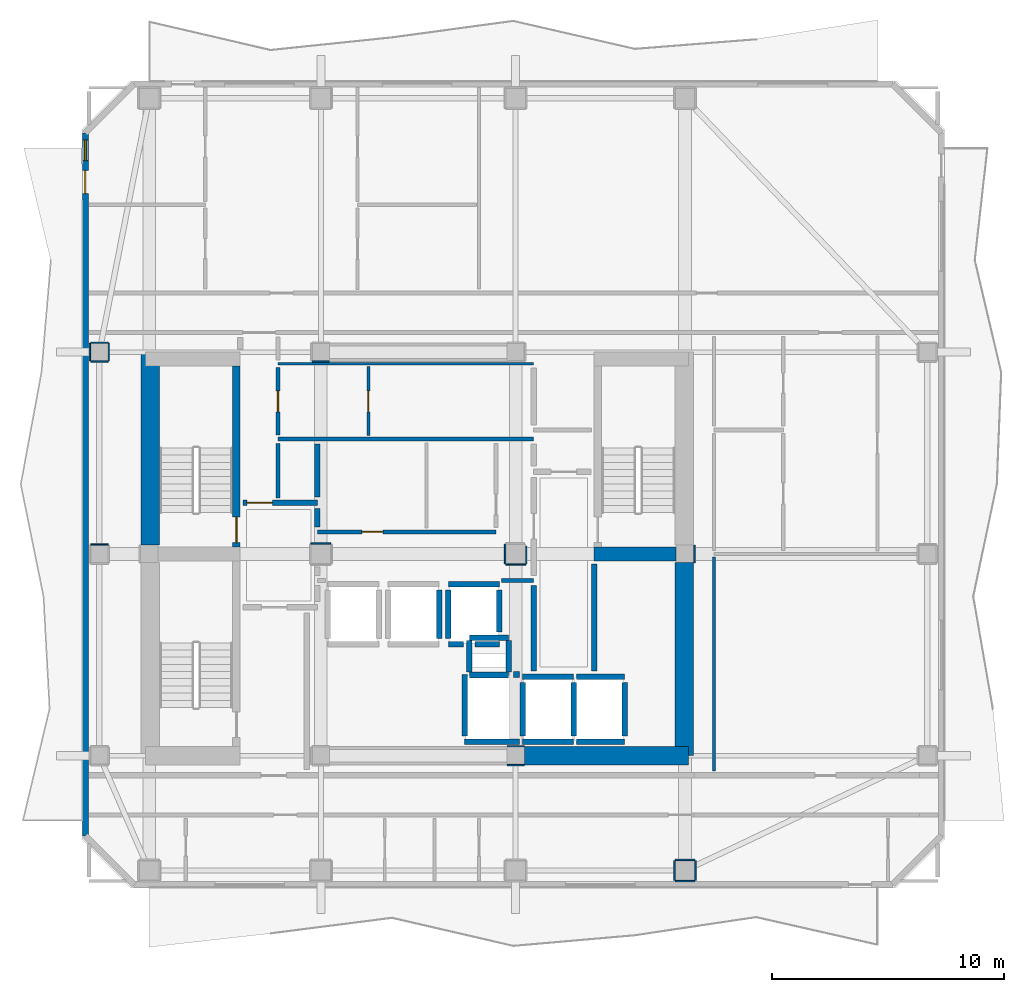
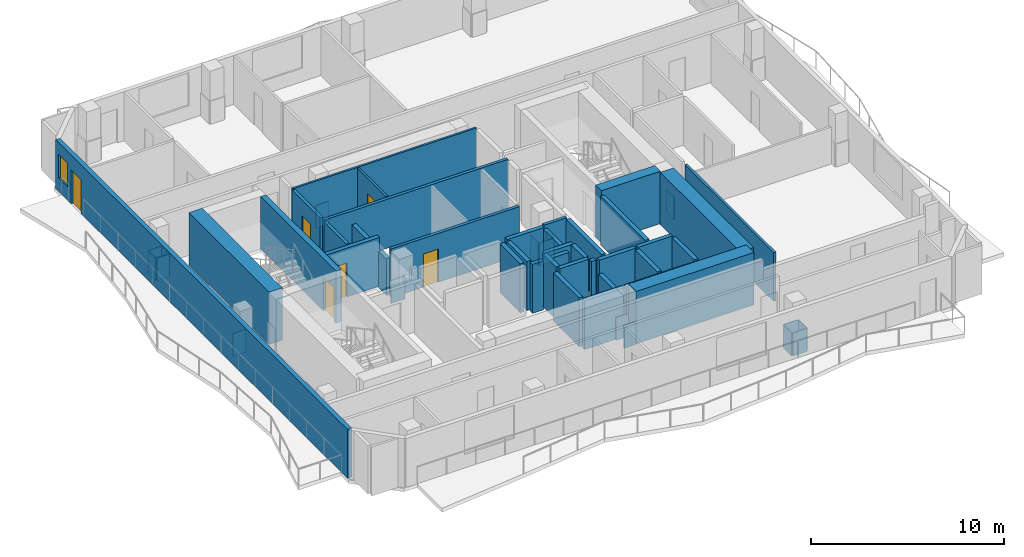
# One storey, part 3 of 9: 56 walls, 6 doors, 1 window, 7 openings.
"""IFC4 building model written with IfcOpenShell, lengths in metres."""

from ifc_helpers import new_model, si_unit, direction, frame, frame_2d, origin, place, context, subcontext, project, spatial, rectangle, extrude, material, layer, layer_set, type_object, element, fill, save


model = new_model("IFC4")

# Units and contexts
model_context = context("Model", 3, precision=1e-05, world=origin(), true_north=direction((0.0, 1.0)))
body_context = subcontext(model_context, "Body", "Model", "MODEL_VIEW")
ifc_project = project(units=[si_unit("LENGTHUNIT", "METRE"), si_unit("AREAUNIT", "SQUARE_METRE"), si_unit("VOLUMEUNIT", "CUBIC_METRE"), si_unit("PLANEANGLEUNIT", "RADIAN"), si_unit("MASSUNIT", "GRAM", prefix="KILO")], contexts=[model_context])

# Site, building, storey
site_placement = place(None, origin())
site = spatial("IfcSite", under=ifc_project, at=site_placement, CompositionType="ELEMENT")
building_placement = place(site_placement, origin())
building = spatial("IfcBuilding", under=site, at=building_placement, Name="Solanera Arch Residences", CompositionType="ELEMENT")
storey_placement = place(building_placement, frame((0.0, 0.0, 241.239990234375)))
storey = spatial("IfcBuildingStorey", under=building, at=storey_placement, Name="L70", CompositionType="ELEMENT", Elevation=241.239990234375)

# Walls
ifc_material_1 = material(Name="Fire-Rated Gypsum Stud Partition", Category="gypsum")
ifc_layer_1 = layer(ifc_material_1, 0.06005859375)
ifc_layer_set_1 = layer_set([ifc_layer_1], Name="Fire-Rated Gypsum Stud Partition")
wall_type_1 = type_object("IfcWallType", Name="Column Acoustic Furring Wall 60", PredefinedType="PARTITIONING", material=ifc_layer_set_1)
for number, where, z_axis, x_axis, name in (
    (1, (28.8330078125, 21.593017578125, 0.0), (0.0, 0.0, 1.0), (1.0, 0.0, 0.0), "L70 Column Furring 2S"),
    (2, (28.8330078125, 22.406982421875, 0.0), (0.0, 0.0, 1.0), (1.0, 0.0, 0.0), "L70 Column Furring 2N"),
):
    element("IfcWall", number, at=place(storey_placement, frame(where, z_axis=z_axis, x_axis=x_axis)), inside=storey, type_object=wall_type_1, Name=name, PredefinedType="PARTITIONING", context=body_context, shape_type="SweptSolid", body=[
        extrude(rectangle(XDim=0.73388671875, YDim=0.06005859375, at=frame_2d((0.366943359375, 0.0))), origin(), (0.0, 0.0, 1.0), 1.449951171875),
    ])
wall_1_placement = place(storey_placement, frame((20.425048828125, 38.992919921875, 0.0), z_axis=(0.0, 0.0, 1.0), x_axis=(1.0, 0.0, 0.0)))
element("IfcWall", 3, at=wall_1_placement, inside=storey, type_object=wall_type_1, Name="L70 Column Furring 3S", PredefinedType="PARTITIONING", context=body_context, shape_type="SweptSolid", body=[
    extrude(rectangle(XDim=0.741943359375, YDim=0.06005859375, at=frame_2d((0.37109375, 0.0))), origin(), (0.0, 0.0, 1.0), 1.449951171875),
])
wall_2_placement = place(storey_placement, frame((36.906982421875, 30.324951171875, 0.0), z_axis=(0.0, 0.0, 1.0), x_axis=(0.0, 1.0, 0.0)))
element("IfcWall", 4, at=wall_2_placement, inside=storey, type_object=wall_type_1, Name="L70 Column Furring 6E", PredefinedType="PARTITIONING", context=body_context, shape_type="SweptSolid", body=[
    extrude(rectangle(XDim=0.75, YDim=0.06005859375, at=frame_2d((0.375, 0.0))), origin(), (0.0, 0.0, 1.0), 1.449951171875),
])
for number, where, z_axis, x_axis, name in (
    (5, (20.375, 31.156982421875, 0.0), (0.0, 0.0, 1.0), (1.0, 0.0, 0.0), "L70 Column Furring 7N"),
    (6, (28.77490234375, 30.242919921875, 0.0), (0.0, 0.0, 1.0), (1.0, 0.0, 0.0), "L70 Column Furring 8S"),
    (7, (28.742919921875, 30.27490234375, 0.0), (0.0, 0.0, 1.0), (0.0, 1.0, 0.0), "L70 Column Furring 8W"),
):
    element("IfcWall", number, at=place(storey_placement, frame(where, z_axis=z_axis, x_axis=x_axis)), inside=storey, type_object=wall_type_1, Name=name, PredefinedType="PARTITIONING", context=body_context, shape_type="SweptSolid", body=[
        extrude(rectangle(XDim=0.85009765625, YDim=0.06005859375, at=frame_2d((0.425048828125, 0.0))), origin(), (0.0, 0.0, 1.0), 1.449951171875),
    ])
wall_3_placement = place(storey_placement, frame((29.656982421875, 30.27490234375, 0.0), z_axis=(0.0, 0.0, 1.0), x_axis=(0.0, 1.0, 0.0)))
element("IfcWall", 8, at=wall_3_placement, inside=storey, type_object=wall_type_1, Name="L70 Column Furring 8E", PredefinedType="PARTITIONING", context=body_context, shape_type="SweptSolid", body=[
    extrude(rectangle(XDim=0.757080078125, YDim=0.06005859375, at=frame_2d((0.37841796875, 0.0))), origin(), (0.0, 0.0, 1.0), 1.449951171875),
])
for number, where, z_axis, x_axis, name in (
    (9, (36.074951171875, 16.593017578125, 0.0), (0.0, 0.0, 1.0), (1.0, 0.0, 0.0), "L70 Column Furring 15S"),
    (10, (36.074951171875, 17.507080078125, 0.0), (0.0, 0.0, 1.0), (1.0, 0.0, 0.0), "L70 Column Furring 15N"),
    (11, (36.04296875, 16.625, 0.0), (0.0, 0.0, 1.0), (0.0, 1.0, 0.0), "L70 Column Furring 15W"),
    (12, (36.95703125, 16.625, 0.0), (0.0, 0.0, 1.0), (0.0, 1.0, 0.0), "L70 Column Furring 15E"),
):
    element("IfcWall", number, at=place(storey_placement, frame(where, z_axis=z_axis, x_axis=x_axis)), inside=storey, type_object=wall_type_1, Name=name, PredefinedType="PARTITIONING", context=body_context, shape_type="SweptSolid", body=[
        extrude(rectangle(XDim=0.85009765625, YDim=0.06005859375, at=frame_2d((0.425048828125, 0.0))), origin(), (0.0, 0.0, 1.0), 1.449951171875),
    ])
for number, where, z_axis, x_axis, name in (
    (13, (10.875, 31.10693359375, 0.0), (0.0, 0.0, 1.0), (1.0, 0.0, 0.0), "L70 Column Furring 19N"),
    (14, (10.875, 38.992919921875, 0.0), (0.0, 0.0, 1.0), (1.0, 0.0, 0.0), "L70 Column Furring 21S"),
    (15, (10.875, 39.806884765625, 0.0), (0.0, 0.0, 1.0), (1.0, 0.0, 0.0), "L70 Column Furring 21N"),
    (16, (10.843017578125, 39.02490234375, 0.0), (0.0, 0.0, 1.0), (0.0, 1.0, 0.0), "L70 Column Furring 21W"),
    (17, (11.656982421875, 39.02490234375, 0.0), (0.0, 0.0, 1.0), (0.0, 1.0, 0.0), "L70 Column Furring 21E"),
):
    element("IfcWall", number, at=place(storey_placement, frame(where, z_axis=z_axis, x_axis=x_axis)), inside=storey, type_object=wall_type_1, Name=name, PredefinedType="PARTITIONING", context=body_context, shape_type="SweptSolid", body=[
        extrude(rectangle(XDim=0.75, YDim=0.06005859375, at=frame_2d((0.375, 0.0))), origin(), (0.0, 0.0, 1.0), 1.449951171875),
    ])

# Wall, opening, door
ifc_material_2 = material(Name="Concrete C40/50 (f'c = 45 MPa)", Category="concrete")
ifc_layer_2 = layer(ifc_material_2, 0.320068359375)
ifc_layer_set_2 = layer_set([ifc_layer_2], Name="Concrete C40/50 (f'c = 45 MPa)")
wall_type_2 = type_object("IfcWallType", Name="Core Shear Wall CW-320", PredefinedType="SHEAR", material=ifc_layer_set_2)
wall_4_placement = place(storey_placement, frame((17.159912109375, 31.0, 0.0), z_axis=(0.0, 0.0, 1.0), x_axis=(0.0, 1.0, 0.0)))
wall_4 = element("IfcWall", 18, at=wall_4_placement, inside=storey, type_object=wall_type_2, Name="L70 Stair ST-T1 East Shear Wall", PredefinedType="SHEAR", context=body_context, shape_type="SweptSolid", body=[
    extrude(rectangle(XDim=7.800048828125, YDim=0.320068359375, at=frame_2d((3.89990234375, 0.0))), origin(), (0.0, 0.0, 1.0), 3.320068359375),
])
opening_1_placement = place(wall_4_placement, frame((0.18994140625, 0.0, 0.0)))
opening_1 = element("IfcOpeningElement", 19, at=opening_1_placement, cuts=wall_4, Name="Opening DF-01", PredefinedType="OPENING", context=body_context, shape_type="SweptSolid", body=[
    extrude(rectangle(XDim=1.10009765625, YDim=2.14990234375, at=frame_2d((0.550048828125, 1.074951171875))), frame((0.0, 0.169921875, 0.0), z_axis=(0.0, -1.0, 0.0), x_axis=(1.0, 0.0, 0.0)), (0.0, 0.0, 1.0), 0.3401),
])
ifc_material_3 = material(Name="Fire-Rated Architectural Hardwood", Category="wood")
door_type_1 = type_object("IfcDoorType", Name="Stair Exit Fire Door DF-01", OperationType="NOTDEFINED", PredefinedType="DOOR", material=ifc_material_3)
door_1_placement = place(opening_1_placement, origin())
door_1 = element("IfcDoor", 20, at=door_1_placement, inside=storey, type_object=door_type_1, Name="DR-L70-STAIR-ST-T1", OperationType="SINGLE_SWING_LEFT", OverallHeight=2.14990234375, OverallWidth=1.10009765625, PredefinedType="DOOR", context=body_context, shape_type="SweptSolid", body=[
    extrude(rectangle(XDim=1.10009765625, YDim=2.14990234375, at=frame_2d((0.550048828125, 1.074951171875))), frame((0.0, 0.02490234375, 0.0), z_axis=(0.0, -1.0, 0.0), x_axis=(1.0, 0.0, 0.0)), (0.0, 0.0, 1.0), 0.050048828125),
])
fill(opening_1, door_1)

# Walls
ifc_material_4 = material(Name="Concrete C40/50 (f'c = 45 MPa)", Category="concrete")
ifc_layer_3 = layer(ifc_material_4, 0.60009765625)
ifc_layer_set_3 = layer_set([ifc_layer_3], Name="Concrete C40/50 (f'c = 45 MPa)")
wall_type_3 = type_object("IfcWallType", Name="Core Shear Wall CW-600", PredefinedType="SHEAR", material=ifc_layer_set_3)
wall_5_placement = place(storey_placement, frame((32.580078125, 30.699951171875, 0.0), z_axis=(0.0, 0.0, 1.0), x_axis=(1.0, 0.0, 0.0)))
element("IfcWall", 21, at=wall_5_placement, inside=storey, type_object=wall_type_3, Name="L70 East Stair Far-Landing Shear Wall", PredefinedType="SHEAR", context=body_context, shape_type="SweptSolid", body=[
    extrude(rectangle(XDim=3.5400390625, YDim=0.60009765625, at=frame_2d((1.77001953125, 0.0))), origin(), (0.0, 0.0, 1.0), 3.320068359375),
])
ifc_material_5 = material(Name="Concrete C40/50 (f'c = 45 MPa)", Category="concrete")
ifc_layer_4 = layer(ifc_material_5, 0.800048828125)
ifc_layer_set_4 = layer_set([ifc_layer_4], Name="Concrete C40/50 (f'c = 45 MPa)")
wall_type_4 = type_object("IfcWallType", Name="Core Shear Wall CW-800", PredefinedType="SHEAR", material=ifc_layer_set_4)
wall_6_placement = place(storey_placement, frame((13.43994140625, 31.080078125, 0.0), z_axis=(0.0, 0.0, 1.0), x_axis=(0.0, 1.0, 0.0)))
element("IfcWall", 22, at=wall_6_placement, inside=storey, type_object=wall_type_4, Name="L70 West Core North Shear Wall", PredefinedType="SHEAR", context=body_context, shape_type="SweptSolid", body=[
    extrude(rectangle(XDim=8.31982421875, YDim=0.800048828125, at=frame_2d((4.159912109375, 0.0))), origin(), (0.0, 0.0, 1.0), 3.320068359375),
])
wall_7_placement = place(storey_placement, frame((36.4599609375, 22.0, 0.0), z_axis=(0.0, 0.0, 1.0), x_axis=(0.0, 1.0, 0.0)))
element("IfcWall", 23, at=wall_7_placement, inside=storey, type_object=wall_type_4, Name="L70 East Core South Shear Wall", PredefinedType="SHEAR", context=body_context, shape_type="SweptSolid", body=[
    extrude(rectangle(XDim=8.320068359375, YDim=0.800048828125, at=frame_2d((4.16015625, 0.0))), origin(), (0.0, 0.0, 1.0), 3.320068359375),
])
wall_8_placement = place(storey_placement, frame((29.580078125, 22.0, 0.0), z_axis=(0.0, 0.0, 1.0), x_axis=(1.0, 0.0, 0.0)))
element("IfcWall", 24, at=wall_8_placement, inside=storey, type_object=wall_type_4, Name="L70 South-East Core Shear Wall", PredefinedType="SHEAR", context=body_context, shape_type="SweptSolid", body=[
    extrude(rectangle(XDim=7.079833984375, YDim=0.800048828125, at=frame_2d((3.5400390625, 0.0))), origin(), (0.0, 0.0, 1.0), 3.320068359375),
])
ifc_material_6 = material(Name="Autoclaved Aerated Concrete Blockwork", Category="masonry")
ifc_layer_5 = layer(ifc_material_6, 0.179931640625)
ifc_layer_set_5 = layer_set([ifc_layer_5], Name="Autoclaved Aerated Concrete Blockwork")
wall_type_5 = type_object("IfcWallType", Name="Corridor Fire Partition 180", PredefinedType="PARTITIONING", material=ifc_layer_set_5)
wall_9_placement = place(storey_placement, frame((28.593017578125, 29.550048828125, 0.0), z_axis=(0.0, 0.0, 1.0), x_axis=(1.0, 0.0, 0.0)))
element("IfcWall", 25, at=wall_9_placement, inside=storey, type_object=wall_type_5, Name="L70 Interior Partition H7 2", PredefinedType="PARTITIONING", context=body_context, shape_type="SweptSolid", body=[
    extrude(rectangle(XDim=1.382080078125, YDim=0.179931640625, at=frame_2d((0.69091796875, 0.0))), origin(), (0.0, 0.0, 1.0), 3.10009765625),
])

# Wall, opening, door
wall_10_placement = place(storey_placement, frame((20.64990234375, 31.64990234375, 0.0), z_axis=(0.0, 0.0, 1.0), x_axis=(1.0, 0.0, 0.0)))
wall_10 = element("IfcWall", 26, at=wall_10_placement, inside=storey, type_object=wall_type_5, Name="L70 Interior Partition H8", PredefinedType="PARTITIONING", context=body_context, shape_type="SweptSolid", body=[
    extrude(rectangle(XDim=7.7001953125, YDim=0.179931640625, at=frame_2d((3.85009765625, 0.0))), origin(), (0.0, 0.0, 1.0), 3.10009765625),
])
opening_2_placement = place(wall_10_placement, frame((1.924072265625, 0.0, 0.0)))
opening_2 = element("IfcOpeningElement", 27, at=opening_2_placement, cuts=wall_10, Name="Opening DI-02", PredefinedType="OPENING", context=body_context, shape_type="SweptSolid", body=[
    extrude(rectangle(XDim=0.89990234375, YDim=2.10009765625, at=frame_2d((0.449951171875, 1.050048828125))), frame((0.0, 0.10009765625, 0.0), z_axis=(0.0, -1.0, 0.0), x_axis=(1.0, 0.0, 0.0)), (0.0, 0.0, 1.0), 0.1999),
])
ifc_material_7 = material(Name="Fire-Rated Architectural Hardwood", Category="wood")
door_type_2 = type_object("IfcDoorType", Name="Suite Room Swing Door DI-02", OperationType="NOTDEFINED", PredefinedType="DOOR", material=ifc_material_7)
door_2_placement = place(opening_2_placement, origin())
door_2 = element("IfcDoor", 28, at=door_2_placement, inside=storey, type_object=door_type_2, Name="DR-L70-IN-012", OperationType="SINGLE_SWING_RIGHT", OverallHeight=2.10009765625, OverallWidth=0.89990234375, PredefinedType="DOOR", context=body_context, shape_type="SweptSolid", body=[
    extrude(rectangle(XDim=0.89990234375, YDim=2.10009765625, at=frame_2d((0.449951171875, 1.050048828125))), frame((0.0, 0.02490234375, 0.0), z_axis=(0.0, -1.0, 0.0), x_axis=(1.0, 0.0, 0.0)), (0.0, 0.0, 1.0), 0.050048828125),
])
fill(opening_2, door_2)

# Walls
wall_11_placement = place(storey_placement, frame((18.949951171875, 35.64990234375, 0.0), z_axis=(0.0, 0.0, 1.0), x_axis=(1.0, 0.0, 0.0)))
element("IfcWall", 29, at=wall_11_placement, inside=storey, type_object=wall_type_5, Name="L70 Interior Partition H9", PredefinedType="PARTITIONING", context=body_context, shape_type="SweptSolid", body=[
    extrude(rectangle(XDim=11.025146484375, YDim=0.179931640625, at=frame_2d((5.5126953125, 0.0))), origin(), (0.0, 0.0, 1.0), 3.10009765625),
])
wall_12_placement = place(storey_placement, frame((18.949951171875, 33.117919921875, 0.0), z_axis=(0.0, 0.0, 1.0), x_axis=(0.0, 1.0, 0.0)))
element("IfcWall", 30, at=wall_12_placement, inside=storey, type_object=wall_type_5, Name="L70 Interior Partition V8 1", PredefinedType="PARTITIONING", context=body_context, shape_type="SweptSolid", body=[
    extrude(rectangle(XDim=2.343994140625, YDim=0.179931640625, at=frame_2d((1.171875, 0.0))), origin(), (0.0, 0.0, 1.0), 3.10009765625),
])

# Wall, opening, door
wall_13_placement = place(storey_placement, frame((18.949951171875, 35.837890625, 0.0), z_axis=(0.0, 0.0, 1.0), x_axis=(0.0, 1.0, 0.0)))
wall_13 = element("IfcWall", 31, at=wall_13_placement, inside=storey, type_object=wall_type_5, Name="L70 Interior Partition V8 2", PredefinedType="PARTITIONING", context=body_context, shape_type="SweptSolid", body=[
    extrude(rectangle(XDim=2.904052734375, YDim=0.179931640625, at=frame_2d((1.4521484375, 0.0))), origin(), (0.0, 0.0, 1.0), 3.10009765625),
])
opening_3_placement = place(wall_13_placement, frame((0.987060546875, 0.0, 0.0)))
opening_3 = element("IfcOpeningElement", 32, at=opening_3_placement, cuts=wall_13, Name="Opening DI-02", PredefinedType="OPENING", context=body_context, shape_type="SweptSolid", body=[
    extrude(rectangle(XDim=0.89990234375, YDim=2.10009765625, at=frame_2d((0.449951171875, 1.050048828125))), frame((0.0, 0.10009765625, 0.0), z_axis=(0.0, -1.0, 0.0), x_axis=(1.0, 0.0, 0.0)), (0.0, 0.0, 1.0), 0.1999),
])
door_3_placement = place(opening_3_placement, origin())
door_3 = element("IfcDoor", 33, at=door_3_placement, inside=storey, type_object=door_type_2, Name="DR-L70-IN-010", OperationType="SINGLE_SWING_RIGHT", OverallHeight=2.10009765625, OverallWidth=0.89990234375, PredefinedType="DOOR", context=body_context, shape_type="SweptSolid", body=[
    extrude(rectangle(XDim=0.89990234375, YDim=2.10009765625, at=frame_2d((0.449951171875, 1.050048828125))), frame((0.0, 0.02490234375, 0.0), z_axis=(0.0, -1.0, 0.0), x_axis=(1.0, 0.0, 0.0)), (0.0, 0.0, 1.0), 0.050048828125),
])
fill(opening_3, door_3)

# Wall, openings, door, window
ifc_material_8 = material(Name="Precast Concrete C35/45", Category="concrete")
ifc_layer_6 = layer(ifc_material_8, 0.260009765625)
ifc_layer_set_6 = layer_set([ifc_layer_6], Name="Precast Concrete C35/45")
wall_type_6 = type_object("IfcWallType", Name="Exterior Wall Precast Masonry-Frame 260", PredefinedType="STANDARD", material=ifc_layer_set_6)
wall_14_placement = place(storey_placement, frame((10.64501953125, 18.544921875, 0.0), z_axis=(0.0, 0.0, 1.0), x_axis=(0.0, 1.0, 0.0)))
wall_14 = element("IfcWall", 34, at=wall_14_placement, inside=storey, type_object=wall_type_6, Name="L70 Tower Exterior Precast Masonry-Frame Wall W", PredefinedType="STANDARD", context=body_context, shape_type="SweptSolid", body=[
    extrude(rectangle(XDim=30.31005859375, YDim=0.260009765625, at=frame_2d((15.155029296875, 0.0))), origin(), (0.0, 0.0, 1.0), 3.10009765625),
])
opening_4_placement = place(wall_14_placement, frame((27.695068359375, 0.0, 0.0)))
opening_4 = element("IfcOpeningElement", 35, at=opening_4_placement, cuts=wall_14, Name="Opening DB-01", PredefinedType="OPENING", context=body_context, shape_type="SweptSolid", body=[
    extrude(rectangle(XDim=1.0, YDim=2.14990234375, at=frame_2d((0.5, 1.074951171875))), frame((0.0, 0.139892578125, 0.0), z_axis=(0.0, -1.0, 0.0), x_axis=(1.0, 0.0, 0.0)), (0.0, 0.0, 1.0), 0.28),
])
opening_5_placement = place(wall_14_placement, frame((29.10791015625, 0.0, 0.85009765625)))
opening_5 = element("IfcOpeningElement", 36, at=opening_5_placement, cuts=wall_14, Name="Opening W-06", PredefinedType="OPENING", context=body_context, shape_type="SweptSolid", body=[
    extrude(rectangle(XDim=0.89990234375, YDim=1.5, at=frame_2d((0.449951171875, 0.75))), frame((0.0, 0.139892578125, 0.0), z_axis=(0.0, -1.0, 0.0), x_axis=(1.0, 0.0, 0.0)), (0.0, 0.0, 1.0), 0.28),
])
ifc_material_9 = material(Name="Anodised Aluminium Alloy 6063-T6", Category="aluminium")
door_type_3 = type_object("IfcDoorType", Name="Glazed Balcony Swing Door DB-01", OperationType="NOTDEFINED", PredefinedType="DOOR", material=ifc_material_9)
door_4_placement = place(opening_4_placement, origin())
door_4 = element("IfcDoor", 37, at=door_4_placement, inside=storey, type_object=door_type_3, Name="DR-L70-OUT-04", OperationType="SINGLE_SWING_LEFT", OverallHeight=2.14990234375, OverallWidth=1.0, PredefinedType="DOOR", context=body_context, shape_type="SweptSolid", body=[
    extrude(rectangle(XDim=1.0, YDim=2.14990234375, at=frame_2d((0.5, 1.074951171875))), frame((0.0, 0.02490234375, 0.0), z_axis=(0.0, -1.0, 0.0), x_axis=(1.0, 0.0, 0.0)), (0.0, 0.0, 1.0), 0.050048828125),
])
fill(opening_4, door_4)
ifc_material_10 = material(Name="Double Glazed Low-E Laminated Glass", Category="glass")
window_type = type_object("IfcWindowType", Name="Punched Window W-06", PartitioningType="SINGLE_PANEL", PredefinedType="WINDOW", material=ifc_material_10)
window_placement = place(opening_5_placement, origin())
window = element("IfcWindow", 38, at=window_placement, inside=storey, type_object=window_type, Name="L70 7003-BR1 Punched Window", OverallHeight=1.5, OverallWidth=0.89990234375, PartitioningType="SINGLE_PANEL", PredefinedType="WINDOW", context=body_context, shape_type="SweptSolid", body=[
    extrude(rectangle(XDim=0.89990234375, YDim=1.5, at=frame_2d((0.449951171875, 0.75))), frame((0.0, 0.030029296875, 0.0), z_axis=(0.0, -1.0, 0.0), x_axis=(1.0, 0.0, 0.0)), (0.0, 0.0, 1.0), 0.06005859375),
])
fill(opening_5, window)

# Walls
ifc_material_11 = material(Name="Concrete C40/50 (f'c = 45 MPa)", Category="concrete")
ifc_layer_7 = layer(ifc_material_11, 0.239990234375)
ifc_layer_set_7 = layer_set([ifc_layer_7], Name="Concrete C40/50 (f'c = 45 MPa)")
wall_type_7 = type_object("IfcWallType", Name="Ramp Bearing Shear Wall RW-240", PredefinedType="SHEAR", material=ifc_layer_set_7)
for number, where, z_axis, x_axis, name in (
    (39, (27.199951171875, 25.47998046875, 0.0), (0.0, 0.0, 1.0), (1.0, 0.0, 0.0), "L70 Core MEP Riser South Shaft Wall"),
    (40, (27.199951171875, 27.080078125, 0.0), (0.0, 0.0, 1.0), (1.0, 0.0, 0.0), "L70 Core MEP Riser North Shaft Wall"),
):
    element("IfcWall", number, at=place(storey_placement, frame(where, z_axis=z_axis, x_axis=x_axis)), inside=storey, type_object=wall_type_7, Name=name, PredefinedType="SHEAR", context=body_context, shape_type="SweptSolid", body=[
        extrude(rectangle(XDim=1.699951171875, YDim=0.239990234375, at=frame_2d((0.85009765625, 0.0))), origin(), (0.0, 0.0, 1.0), 3.320068359375),
    ])
for number, where, z_axis, x_axis, name in (
    (41, (27.199951171875, 25.60009765625, 0.0), (0.0, 0.0, 1.0), (0.0, 1.0, 0.0), "L70 Core MEP Riser West Shaft Wall"),
    (42, (28.89990234375, 25.60009765625, 0.0), (0.0, 0.0, 1.0), (0.0, 1.0, 0.0), "L70 Core MEP Riser East Shaft Wall"),
):
    element("IfcWall", number, at=place(storey_placement, frame(where, z_axis=z_axis, x_axis=x_axis)), inside=storey, type_object=wall_type_7, Name=name, PredefinedType="SHEAR", context=body_context, shape_type="SweptSolid", body=[
        extrude(rectangle(XDim=1.35986328125, YDim=0.239990234375, at=frame_2d((0.679931640625, 0.0))), origin(), (0.0, 0.0, 1.0), 3.320068359375),
    ])
ifc_material_12 = material(Name="Autoclaved Aerated Concrete Blockwork", Category="masonry")
ifc_layer_8 = layer(ifc_material_12, 0.239990234375)
ifc_layer_set_8 = layer_set([ifc_layer_8], Name="Autoclaved Aerated Concrete Blockwork")
wall_type_8 = type_object("IfcWallType", Name="Shaft Wall Fire-Rated 240", PredefinedType="PARTITIONING", material=ifc_layer_set_8)
wall_15_placement = place(storey_placement, frame((25.89990234375, 27.048095703125, 0.0), z_axis=(0.0, 0.0, 1.0), x_axis=(0.0, 1.0, 0.0)))
element("IfcWall", 43, at=wall_15_placement, inside=storey, type_object=wall_type_8, Name="L70 Lift PL-H2 Hoistway Wall E", PredefinedType="PARTITIONING", context=body_context, shape_type="SweptSolid", body=[
    extrude(rectangle(XDim=2.10400390625, YDim=0.239990234375, at=frame_2d((1.052001953125, 0.0))), origin(), (0.0, 0.0, 1.0), 3.10009765625),
])
wall_16_placement = place(storey_placement, frame((26.300048828125, 26.800048828125, 0.0), z_axis=(0.0, 0.0, 1.0), x_axis=(1.0, 0.0, 0.0)))
element("IfcWall", 44, at=wall_16_placement, inside=storey, type_object=wall_type_8, Name="L70 Lift PL-H3 Hoistway Wall S 1", PredefinedType="PARTITIONING", context=body_context, shape_type="SweptSolid", body=[
    extrude(rectangle(XDim=0.64990234375, YDim=0.239990234375, at=frame_2d((0.324951171875, 0.0))), origin(), (0.0, 0.0, 1.0), 3.10009765625),
])
wall_17_placement = place(storey_placement, frame((27.449951171875, 26.800048828125, 0.0), z_axis=(0.0, 0.0, 1.0), x_axis=(1.0, 0.0, 0.0)))
element("IfcWall", 45, at=wall_17_placement, inside=storey, type_object=wall_type_8, Name="L70 Lift PL-H3 Hoistway Wall S 2", PredefinedType="PARTITIONING", context=body_context, shape_type="SweptSolid", body=[
    extrude(rectangle(XDim=1.050048828125, YDim=0.239990234375, at=frame_2d((0.52490234375, 0.0))), origin(), (0.0, 0.0, 1.0), 3.10009765625),
])
wall_18_placement = place(storey_placement, frame((26.300048828125, 29.39990234375, 0.0), z_axis=(0.0, 0.0, 1.0), x_axis=(1.0, 0.0, 0.0)))
element("IfcWall", 46, at=wall_18_placement, inside=storey, type_object=wall_type_8, Name="L70 Lift PL-H3 Hoistway Wall N", PredefinedType="PARTITIONING", context=body_context, shape_type="SweptSolid", body=[
    extrude(rectangle(XDim=2.199951171875, YDim=0.239990234375, at=frame_2d((1.10009765625, 0.0))), origin(), (0.0, 0.0, 1.0), 3.10009765625),
])
wall_19_placement = place(storey_placement, frame((26.300048828125, 27.048095703125, 0.0), z_axis=(0.0, 0.0, 1.0), x_axis=(0.0, 1.0, 0.0)))
element("IfcWall", 47, at=wall_19_placement, inside=storey, type_object=wall_type_8, Name="L70 Lift PL-H3 Hoistway Wall W", PredefinedType="PARTITIONING", context=body_context, shape_type="SweptSolid", body=[
    extrude(rectangle(XDim=2.10400390625, YDim=0.239990234375, at=frame_2d((1.052001953125, 0.0))), origin(), (0.0, 0.0, 1.0), 3.10009765625),
])
wall_20_placement = place(storey_placement, frame((28.5, 27.330078125, 0.0), z_axis=(0.0, 0.0, 1.0), x_axis=(0.0, 1.0, 0.0)))
element("IfcWall", 48, at=wall_20_placement, inside=storey, type_object=wall_type_8, Name="L70 Lift PL-H3 Hoistway Wall E", PredefinedType="PARTITIONING", context=body_context, shape_type="SweptSolid", body=[
    extrude(rectangle(XDim=1.822021484375, YDim=0.239990234375, at=frame_2d((0.9111328125, 0.0))), origin(), (0.0, 0.0, 1.0), 3.10009765625),
])
for number, where, z_axis, x_axis, name in (
    (49, (29.5, 22.60009765625, 0.0), (0.0, 0.0, 1.0), (1.0, 0.0, 0.0), "L70 Lift FFL-1 Hoistway Wall S"),
    (50, (29.5, 25.39990234375, 0.0), (0.0, 0.0, 1.0), (1.0, 0.0, 0.0), "L70 Lift FFL-1 Hoistway Wall N"),
):
    element("IfcWall", number, at=place(storey_placement, frame(where, z_axis=z_axis, x_axis=x_axis)), inside=storey, type_object=wall_type_8, Name=name, PredefinedType="PARTITIONING", context=body_context, shape_type="SweptSolid", body=[
        extrude(rectangle(XDim=2.199951171875, YDim=0.239990234375, at=frame_2d((1.10009765625, 0.0))), origin(), (0.0, 0.0, 1.0), 3.10009765625),
    ])
wall_21_placement = place(storey_placement, frame((29.5, 22.847900390625, 0.0), z_axis=(0.0, 0.0, 1.0), x_axis=(0.0, 1.0, 0.0)))
element("IfcWall", 51, at=wall_21_placement, inside=storey, type_object=wall_type_8, Name="L70 Lift FFL-1 Hoistway Wall W", PredefinedType="PARTITIONING", context=body_context, shape_type="SweptSolid", body=[
    extrude(rectangle(XDim=2.30419921875, YDim=0.239990234375, at=frame_2d((1.152099609375, 0.0))), origin(), (0.0, 0.0, 1.0), 2.3349609375),
])
wall_22_placement = place(storey_placement, frame((31.699951171875, 22.847900390625, 0.0), z_axis=(0.0, 0.0, 1.0), x_axis=(0.0, 1.0, 0.0)))
element("IfcWall", 52, at=wall_22_placement, inside=storey, type_object=wall_type_8, Name="L70 Lift FFL-1 Hoistway Wall E", PredefinedType="PARTITIONING", context=body_context, shape_type="SweptSolid", body=[
    extrude(rectangle(XDim=2.30419921875, YDim=0.239990234375, at=frame_2d((1.152099609375, 0.0))), origin(), (0.0, 0.0, 1.0), 3.10009765625),
])
for number, where, z_axis, x_axis, name in (
    (53, (31.827880859375, 22.60009765625, 0.0), (0.0, 0.0, 1.0), (1.0, 0.0, 0.0), "L70 Lift FFL-2 Hoistway Wall S"),
    (54, (31.827880859375, 25.39990234375, 0.0), (0.0, 0.0, 1.0), (1.0, 0.0, 0.0), "L70 Lift FFL-2 Hoistway Wall N"),
):
    element("IfcWall", number, at=place(storey_placement, frame(where, z_axis=z_axis, x_axis=x_axis)), inside=storey, type_object=wall_type_8, Name=name, PredefinedType="PARTITIONING", context=body_context, shape_type="SweptSolid", body=[
        extrude(rectangle(XDim=2.072021484375, YDim=0.239990234375, at=frame_2d((1.0361328125, 0.0))), origin(), (0.0, 0.0, 1.0), 3.10009765625),
    ])
wall_23_placement = place(storey_placement, frame((33.89990234375, 22.847900390625, 0.0), z_axis=(0.0, 0.0, 1.0), x_axis=(0.0, 1.0, 0.0)))
element("IfcWall", 55, at=wall_23_placement, inside=storey, type_object=wall_type_8, Name="L70 Lift FFL-2 Hoistway Wall E", PredefinedType="PARTITIONING", context=body_context, shape_type="SweptSolid", body=[
    extrude(rectangle(XDim=2.30419921875, YDim=0.239990234375, at=frame_2d((1.152099609375, 0.0))), origin(), (0.0, 0.0, 1.0), 3.10009765625),
])
wall_24_placement = place(storey_placement, frame((27.0, 22.60009765625, 0.0), z_axis=(0.0, 0.0, 1.0), x_axis=(1.0, 0.0, 0.0)))
element("IfcWall", 56, at=wall_24_placement, inside=storey, type_object=wall_type_8, Name="L70 Lift SVL-1 Hoistway Wall S", PredefinedType="PARTITIONING", context=body_context, shape_type="SweptSolid", body=[
    extrude(rectangle(XDim=2.3720703125, YDim=0.239990234375, at=frame_2d((1.18603515625, 0.0))), origin(), (0.0, 0.0, 1.0), 3.10009765625),
])
wall_25_placement = place(storey_placement, frame((29.10302734375, 25.5, 0.0), z_axis=(0.0, 0.0, 1.0), x_axis=(1.0, 0.0, 0.0)))
element("IfcWall", 57, at=wall_25_placement, inside=storey, type_object=wall_type_8, Name="L70 Lift SVL-1 Hoistway Wall N", PredefinedType="PARTITIONING", context=body_context, shape_type="SweptSolid", body=[
    extrude(rectangle(XDim=0.26904296875, YDim=0.239990234375, at=frame_2d((0.134521484375, 0.0))), origin(), (0.0, 0.0, 1.0), 3.10009765625),
])
wall_26_placement = place(storey_placement, frame((27.0, 22.847900390625, 0.0), z_axis=(0.0, 0.0, 1.0), x_axis=(0.0, 1.0, 0.0)))
element("IfcWall", 58, at=wall_26_placement, inside=storey, type_object=wall_type_8, Name="L70 Lift SVL-1 Hoistway Wall W", PredefinedType="PARTITIONING", context=body_context, shape_type="SweptSolid", body=[
    extrude(rectangle(XDim=2.650146484375, YDim=0.239990234375, at=frame_2d((1.3251953125, 0.0))), origin(), (0.0, 0.0, 1.0), 3.10009765625),
])

# Wall, opening, door
wall_27_placement = place(storey_placement, frame((17.449951171875, 32.89990234375, 0.0), z_axis=(0.0, 0.0, 1.0), x_axis=(1.0, 0.0, 0.0)))
wall_27 = element("IfcWall", 59, at=wall_27_placement, inside=storey, type_object=wall_type_8, Name="L70 Interior Partition H4", PredefinedType="PARTITIONING", context=body_context, shape_type="SweptSolid", body=[
    extrude(rectangle(XDim=3.199951171875, YDim=0.239990234375, at=frame_2d((1.60009765625, 0.0))), origin(), (0.0, 0.0, 1.0), 3.10009765625),
])
opening_6_placement = place(wall_27_placement, frame((0.158935546875, 0.0, 0.0)))
opening_6 = element("IfcOpeningElement", 60, at=opening_6_placement, cuts=wall_27, Name="Opening DF-02", PredefinedType="OPENING", context=body_context, shape_type="SweptSolid", body=[
    extrude(rectangle(XDim=1.10009765625, YDim=2.14990234375, at=frame_2d((0.550048828125, 1.074951171875))), frame((0.0, 0.1298828125, 0.0), z_axis=(0.0, -1.0, 0.0), x_axis=(1.0, 0.0, 0.0)), (0.0, 0.0, 1.0), 0.26),
])
ifc_material_13 = material(Name="Fire-Rated Architectural Hardwood", Category="wood")
door_type_4 = type_object("IfcDoorType", Name="Firefighting Lobby Fire Door DF-02", OperationType="NOTDEFINED", PredefinedType="DOOR", material=ifc_material_13)
door_5_placement = place(opening_6_placement, origin())
door_5 = element("IfcDoor", 61, at=door_5_placement, inside=storey, type_object=door_type_4, Name="DR-L70-IN-005", OperationType="SINGLE_SWING_LEFT", OverallHeight=2.14990234375, OverallWidth=1.10009765625, PredefinedType="DOOR", context=body_context, shape_type="SweptSolid", body=[
    extrude(rectangle(XDim=1.10009765625, YDim=2.14990234375, at=frame_2d((0.550048828125, 1.074951171875))), frame((0.0, 0.02490234375, 0.0), z_axis=(0.0, -1.0, 0.0), x_axis=(1.0, 0.0, 0.0)), (0.0, 0.0, 1.0), 0.050048828125),
])
fill(opening_6, door_5)

# Walls
wall_28_placement = place(storey_placement, frame((20.64990234375, 31.867919921875, 0.0), z_axis=(0.0, 0.0, 1.0), x_axis=(0.0, 1.0, 0.0)))
element("IfcWall", 62, at=wall_28_placement, inside=storey, type_object=wall_type_8, Name="L70 Interior Partition V3 3", PredefinedType="PARTITIONING", context=body_context, shape_type="SweptSolid", body=[
    extrude(rectangle(XDim=0.7841796875, YDim=0.239990234375, at=frame_2d((0.39208984375, 0.0))), origin(), (0.0, 0.0, 1.0), 2.3349609375),
])
wall_29_placement = place(storey_placement, frame((20.64990234375, 33.14794921875, 0.0), z_axis=(0.0, 0.0, 1.0), x_axis=(0.0, 1.0, 0.0)))
element("IfcWall", 63, at=wall_29_placement, inside=storey, type_object=wall_type_8, Name="L70 Interior Partition V3 4", PredefinedType="PARTITIONING", context=body_context, shape_type="SweptSolid", body=[
    extrude(rectangle(XDim=2.283935546875, YDim=0.239990234375, at=frame_2d((1.14208984375, 0.0))), origin(), (0.0, 0.0, 1.0), 2.3349609375),
])
wall_30_placement = place(storey_placement, frame((29.97509765625, 25.64794921875, 0.0), z_axis=(0.0, 0.0, 1.0), x_axis=(0.0, 1.0, 0.0)))
element("IfcWall", 64, at=wall_30_placement, inside=storey, type_object=wall_type_8, Name="L70 Interior Partition V4 1", PredefinedType="PARTITIONING", context=body_context, shape_type="SweptSolid", body=[
    extrude(rectangle(XDim=3.68408203125, YDim=0.239990234375, at=frame_2d((1.842041015625, 0.0))), origin(), (0.0, 0.0, 1.0), 3.10009765625),
])
wall_31_placement = place(storey_placement, frame((32.580078125, 25.64794921875, 0.0), z_axis=(0.0, 0.0, 1.0), x_axis=(0.0, 1.0, 0.0)))
element("IfcWall", 65, at=wall_31_placement, inside=storey, type_object=wall_type_8, Name="L70 Interior Partition V5", PredefinedType="PARTITIONING", context=body_context, shape_type="SweptSolid", body=[
    extrude(rectangle(XDim=4.6220703125, YDim=0.239990234375, at=frame_2d((2.31103515625, 0.0))), origin(), (0.0, 0.0, 1.0), 3.10009765625),
])
ifc_material_14 = material(Name="Fire-Rated Gypsum Stud Partition", Category="gypsum")
ifc_layer_9 = layer(ifc_material_14, 0.1201171875)
ifc_layer_set_9 = layer_set([ifc_layer_9], Name="Fire-Rated Gypsum Stud Partition")
wall_type_9 = type_object("IfcWallType", Name="Unit Drywall Partition 120", PredefinedType="PARTITIONING", material=ifc_layer_set_9)
wall_32_placement = place(storey_placement, frame((18.949951171875, 38.89990234375, 0.0), z_axis=(0.0, 0.0, 1.0), x_axis=(1.0, 0.0, 0.0)))
element("IfcWall", 66, at=wall_32_placement, inside=storey, type_object=wall_type_9, Name="L70 Interior Partition H18", PredefinedType="PARTITIONING", context=body_context, shape_type="SweptSolid", body=[
    extrude(rectangle(XDim=11.025146484375, YDim=0.1201171875, at=frame_2d((5.5126953125, 0.0))), origin(), (0.0, 0.0, 1.0), 3.10009765625),
])

# Wall, opening, door
wall_33_placement = place(storey_placement, frame((22.85009765625, 35.80810546875, 0.0), z_axis=(0.0, 0.0, 1.0), x_axis=(0.0, 1.0, 0.0)))
wall_33 = element("IfcWall", 67, at=wall_33_placement, inside=storey, type_object=wall_type_9, Name="L70 Interior Partition V19", PredefinedType="PARTITIONING", context=body_context, shape_type="SweptSolid", body=[
    extrude(rectangle(XDim=2.9638671875, YDim=0.1201171875, at=frame_2d((1.48193359375, 0.0))), origin(), (0.0, 0.0, 1.0), 3.10009765625),
])
opening_7_placement = place(wall_33_placement, frame((1.01708984375, 0.0, 0.0)))
opening_7 = element("IfcOpeningElement", 68, at=opening_7_placement, cuts=wall_33, Name="Opening DI-02", PredefinedType="OPENING", context=body_context, shape_type="SweptSolid", body=[
    extrude(rectangle(XDim=0.89990234375, YDim=2.10009765625, at=frame_2d((0.449951171875, 1.050048828125))), frame((0.0, 0.070068359375, 0.0), z_axis=(0.0, -1.0, 0.0), x_axis=(1.0, 0.0, 0.0)), (0.0, 0.0, 1.0), 0.1401),
])
door_6_placement = place(opening_7_placement, origin())
door_6 = element("IfcDoor", 69, at=door_6_placement, inside=storey, type_object=door_type_2, Name="DR-L70-IN-011", OperationType="SINGLE_SWING_LEFT", OverallHeight=2.10009765625, OverallWidth=0.89990234375, PredefinedType="DOOR", context=body_context, shape_type="SweptSolid", body=[
    extrude(rectangle(XDim=0.89990234375, YDim=2.10009765625, at=frame_2d((0.449951171875, 1.050048828125))), frame((0.0, 0.02490234375, 0.0), z_axis=(0.0, -1.0, 0.0), x_axis=(1.0, 0.0, 0.0)), (0.0, 0.0, 1.0), 0.050048828125),
])
fill(opening_7, door_6)

# Wall
ifc_material_15 = material(Name="Autoclaved Aerated Concrete Blockwork", Category="masonry")
ifc_layer_10 = layer(ifc_material_15, 0.139892578125)
ifc_layer_set_10 = layer_set([ifc_layer_10], Name="Autoclaved Aerated Concrete Blockwork")
wall_type_10 = type_object("IfcWallType", Name="Wet-Room Partition 140", PredefinedType="PARTITIONING", material=ifc_layer_set_10)
wall_34_placement = place(storey_placement, frame((37.75, 21.347900390625, 0.0), z_axis=(0.0, 0.0, 1.0), x_axis=(0.0, 1.0, 0.0)))
element("IfcWall", 70, at=wall_34_placement, inside=storey, type_object=wall_type_10, Name="L70 Interior Partition V16 1", PredefinedType="PARTITIONING", context=body_context, shape_type="SweptSolid", body=[
    extrude(rectangle(XDim=9.214111328125, YDim=0.139892578125, at=frame_2d((4.60693359375, 0.0))), origin(), (0.0, 0.0, 1.0), 3.10009765625),
])

save(model, "model.ifc")
